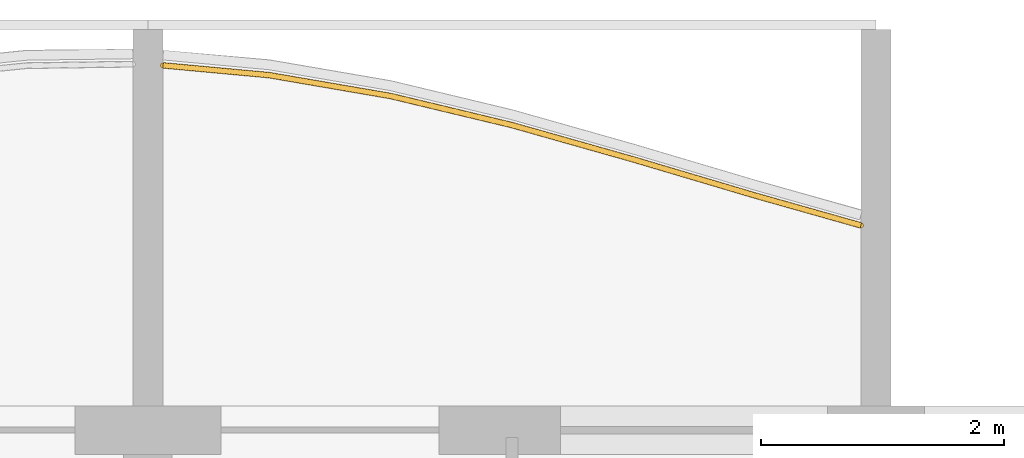
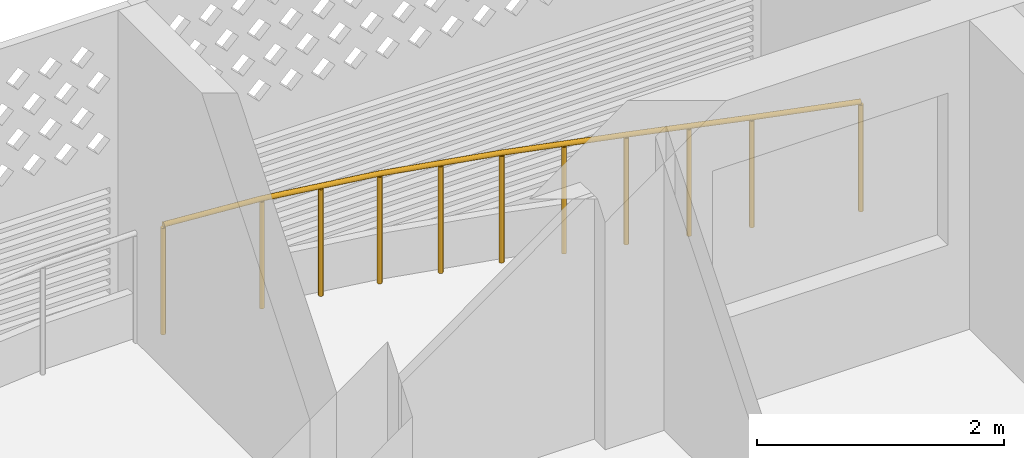
# One storey, part 36 of 44: 1 railing.
"""IFC4 building model written with IfcOpenShell, lengths in metres."""

from ifc_helpers import new_model, si_unit, direction, frame, origin, origin_2d, place, context, subcontext, project, spatial, circle, extrude, material, type_object, element, save


model = new_model("IFC4")

# Units and contexts
model_context = context("Model", 3, precision=1e-05, world=origin(), true_north=direction((0.0, 1.0)))
body_context = subcontext(model_context, "Body", "Model", "MODEL_VIEW")
ifc_project = project(units=[si_unit("LENGTHUNIT", "METRE"), si_unit("AREAUNIT", "SQUARE_METRE"), si_unit("VOLUMEUNIT", "CUBIC_METRE"), si_unit("PLANEANGLEUNIT", "RADIAN"), si_unit("MASSUNIT", "GRAM", prefix="KILO")], contexts=[model_context])

# Site, building, storey
site_placement = place(None, origin())
site = spatial("IfcSite", under=ifc_project, at=site_placement, CompositionType="ELEMENT")
building_placement = place(site_placement, origin())
building = spatial("IfcBuilding", under=site, at=building_placement, Name="Poui Terraces", CompositionType="ELEMENT")
storey_placement = place(building_placement, frame((0.0, 0.0, 26.699951171875)))
storey = spatial("IfcBuildingStorey", under=building, at=storey_placement, Name="L06", CompositionType="ELEMENT", Elevation=26.699951171875)

# Railing
ifc_material = material(Name="Painted steel fretwork", Category="steel")
railing_type = type_object("IfcRailingType", Name="BALCONY GUARD 1100", PredefinedType="GUARDRAIL", material=ifc_material)
railing_placement = place(storey_placement, frame((60.125, 47.805908203125, 0.0)))
element("IfcRailing", 1, at=railing_placement, inside=storey, type_object=railing_type, Name="BALCONY GUARD", PredefinedType="GUARDRAIL", context=body_context, shape_type="SweptSolid", body=[
    extrude(circle(Radius=0.02392578125, at=origin_2d()), frame((0.0, 0.0, 1.076171875), z_axis=(0.995787779444, -0.091688048889, 0.0), x_axis=(0.091688048889, 0.995787779444, 0.0)), (0.0, 0.0, 1.0), 0.878662109375),
    extrude(circle(Radius=0.02392578125, at=origin_2d()), frame((0.875, -0.08056640625, 1.076171875), z_axis=(0.98554889076, -0.169391215599, 0.0), x_axis=(0.169391215599, 0.98554889076, 0.0)), (0.0, 0.0, 1.0), 1.0146484375),
    extrude(circle(Radius=0.02392578125, at=origin_2d()), frame((1.875, -0.25244140625, 1.076171875), z_axis=(0.972443304839, -0.233139483729, 0.0), x_axis=(0.233139483729, 0.972443304839, 0.0)), (0.0, 0.0, 1.0), 1.0283203125),
    extrude(circle(Radius=0.02392578125, at=origin_2d()), frame((2.875, -0.4921875, 1.076171875), z_axis=(0.962282666556, -0.272051593719, 0.0), x_axis=(0.272051593719, 0.962282666556, 0.0)), (0.0, 0.0, 1.0), 1.039306640625),
    extrude(circle(Radius=0.02392578125, at=origin_2d()), frame((3.875, -0.77490234375, 1.076171875), z_axis=(0.958710700624, -0.284383179018, 0.0), x_axis=(0.284383179018, 0.958710700624, 0.0)), (0.0, 0.0, 1.0), 1.04296875),
    extrude(circle(Radius=0.02392578125, at=origin_2d()), frame((4.875, -1.071533203125, 1.076171875), z_axis=(0.962370485881, -0.271740773357, 0.0), x_axis=(0.271740773357, 0.962370485881, 0.0)), (0.0, 0.0, 1.0), 0.9091796875),
    extrude(circle(Radius=0.02099609375, at=origin_2d()), origin(), (0.0, 0.0, 1.0), 1.052001953125),
    extrude(circle(Radius=0.02099609375, at=origin_2d()), frame((0.875, -0.08056640625, 0.0)), (0.0, 0.0, 1.0), 1.052001953125),
    extrude(circle(Radius=0.02099609375, at=origin_2d()), frame((1.375, -0.16650390625, 0.0)), (0.0, 0.0, 1.0), 1.052001953125),
    extrude(circle(Radius=0.02099609375, at=origin_2d()), frame((1.875, -0.25244140625, 0.0)), (0.0, 0.0, 1.0), 1.052001953125),
    extrude(circle(Radius=0.02099609375, at=origin_2d()), frame((2.375, -0.372314453125, 0.0)), (0.0, 0.0, 1.0), 1.052001953125),
    extrude(circle(Radius=0.02099609375, at=origin_2d()), frame((2.875, -0.4921875, 0.0)), (0.0, 0.0, 1.0), 1.052001953125),
    extrude(circle(Radius=0.02099609375, at=origin_2d()), frame((3.375, -0.633544921875, 0.0)), (0.0, 0.0, 1.0), 1.052001953125),
    extrude(circle(Radius=0.02099609375, at=origin_2d()), frame((3.875, -0.77490234375, 0.0)), (0.0, 0.0, 1.0), 1.052001953125),
    extrude(circle(Radius=0.02099609375, at=origin_2d()), frame((4.375, -0.92333984375, 0.0)), (0.0, 0.0, 1.0), 1.052001953125),
    extrude(circle(Radius=0.02099609375, at=origin_2d()), frame((4.875, -1.071533203125, 0.0)), (0.0, 0.0, 1.0), 1.052001953125),
    extrude(circle(Radius=0.02099609375, at=origin_2d()), frame((5.75, -1.318603515625, 0.0)), (0.0, 0.0, 1.0), 1.052001953125),
])

save(model, "model.ifc")
